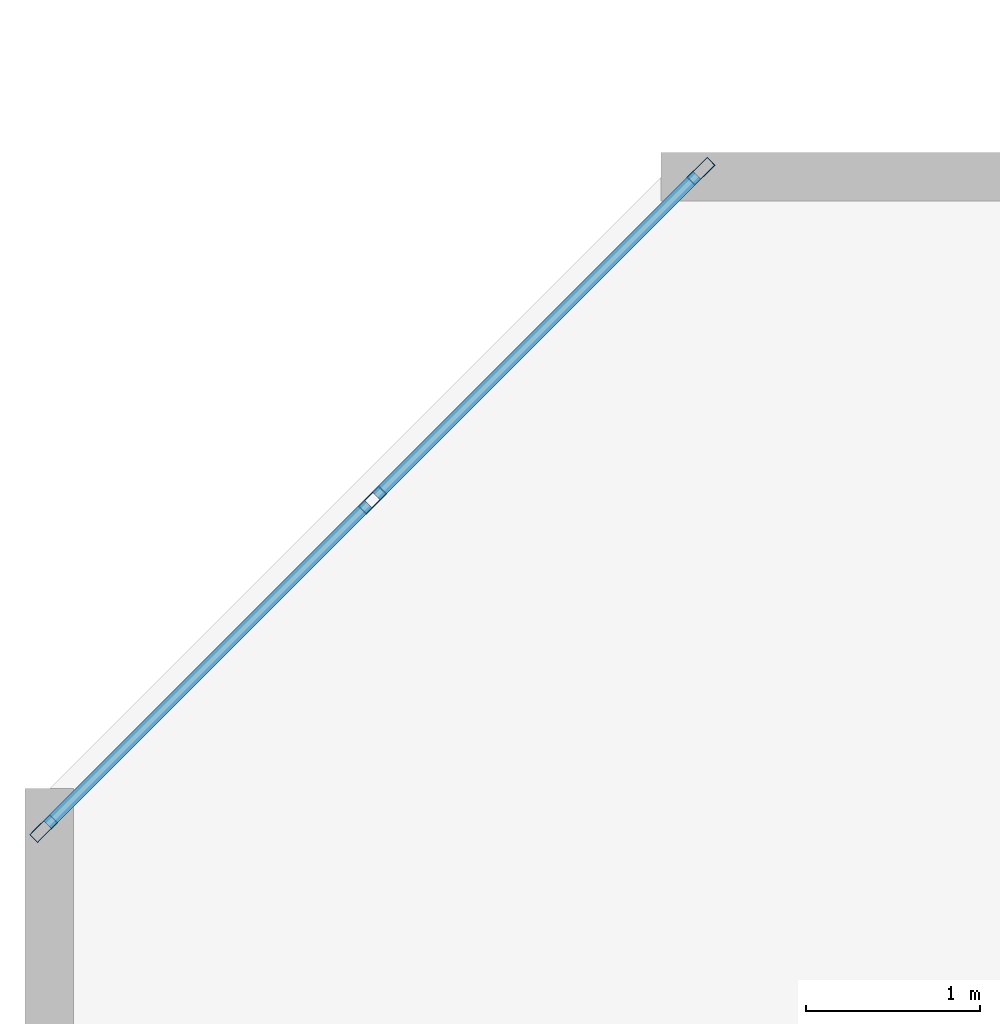
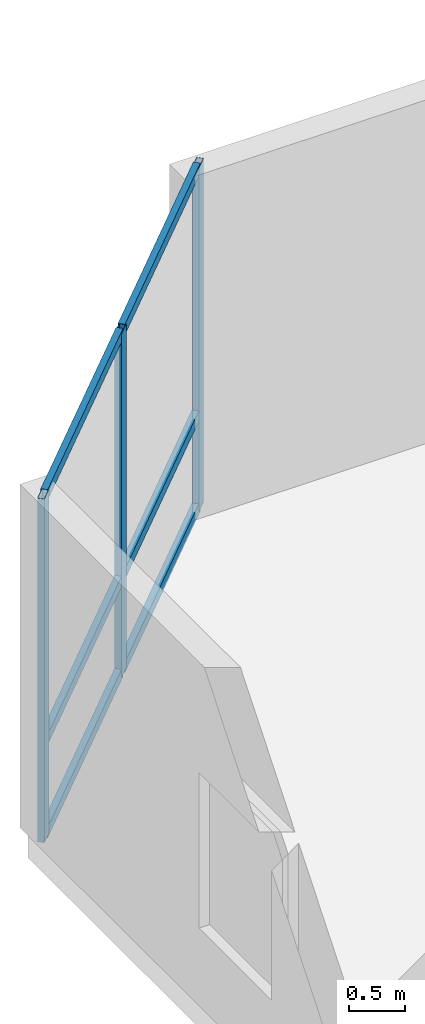
# One storey, part 2 of 11: 9 members, 1 element without a shape of its own.
"""IFC4 building model written with IfcOpenShell, lengths in metres."""

from ifc_helpers import new_model, si_unit, direction, frame, origin, origin_2d, place, context, subcontext, project, spatial, hollow_rectangle, extrude, material, layer, layer_set, material_profile, profile_set, type_object, element, aggregate, save


model = new_model("IFC4")

# Units and contexts
model_context = context("Model", 3, precision=1e-05, world=origin(), true_north=direction((0.0, 1.0)))
body_context = subcontext(model_context, "Body", "Model", "MODEL_VIEW")
ifc_project = project(units=[si_unit("LENGTHUNIT", "METRE"), si_unit("AREAUNIT", "SQUARE_METRE"), si_unit("VOLUMEUNIT", "CUBIC_METRE"), si_unit("PLANEANGLEUNIT", "RADIAN"), si_unit("MASSUNIT", "GRAM", prefix="KILO")], contexts=[model_context])

# Site, building, storey
site_placement = place(None, origin())
site = spatial("IfcSite", under=ifc_project, at=site_placement, CompositionType="ELEMENT")
building_placement = place(site_placement, origin())
building = spatial("IfcBuilding", under=site, at=building_placement, Name="Kestravale Grand Hotel", CompositionType="ELEMENT")
storey_placement = place(building_placement, frame((0.0, 0.0, 265.39990234375)))
storey = spatial("IfcBuildingStorey", under=building, at=storey_placement, Name="L66", CompositionType="ELEMENT", Elevation=265.39990234375)

# Curtain wall, members
ifc_material_1 = material(Name="Thermally broken champagne-bronze aluminium and low-E glazing", Category="aluminium")
ifc_layer = layer(ifc_material_1, 0.179931640625)
ifc_layer_set = layer_set([ifc_layer], Name="CW-Z4")
curtain_wall_type = type_object("IfcCurtainWallType", Name="CW-Z4", PredefinedType="NOTDEFINED", material=ifc_layer_set)
curtain_wall_placement = place(storey_placement, origin())
curtain_wall = element("IfcCurtainWall", 1, at=curtain_wall_placement, inside=storey, type_object=curtain_wall_type, Name="L66 unitised curtain wall 18", PredefinedType="NOTDEFINED")
ifc_material_2 = material(Name="Aluminium 6063-T6 anodised", Category="aluminium")
ifc_material_profile_1 = material_profile(ifc_material_2, hollow_rectangle(XDim=0.06494140625, YDim=0.1650390625, WallThickness=0.00341796875, at=origin_2d()))
ifc_profile_set_1 = profile_set([ifc_material_profile_1], Name="Aluminium 6063-T6 anodised")
member_type_1 = type_object("IfcMemberType", Name="CW-MUL-165", PredefinedType="MULLION", material=ifc_profile_set_1)
member_1_placement = place(storey_placement, frame((11.690185546875, 44.59228515625, 0.0), z_axis=(0.0, 0.0, 1.0), x_axis=(0.707106781187, -0.707106781187, 0.0)))
member_1 = element("IfcMember", 2, at=member_1_placement, type_object=member_type_1, Name="CW-Z4 mullion 1", PredefinedType="MULLION", context=body_context, shape_type="SweptSolid", body=[
    extrude(hollow_rectangle(XDim=0.06494140625, YDim=0.1650390625, WallThickness=0.00341796875, at=origin_2d()), origin(), (0.0, 0.0, 1.0), 3.760009765625),
])
member_2_placement = place(storey_placement, frame((9.799072265625, 42.700927734375, 0.0), z_axis=(0.0, 0.0, 1.0), x_axis=(0.707106781187, -0.707106781187, 0.0)))
member_2 = element("IfcMember", 3, at=member_2_placement, type_object=member_type_1, Name="CW-Z4 mullion 2", PredefinedType="MULLION", context=body_context, shape_type="SweptSolid", body=[
    extrude(hollow_rectangle(XDim=0.06494140625, YDim=0.1650390625, WallThickness=0.00341796875, at=origin_2d()), origin(), (0.0, 0.0, 1.0), 3.760009765625),
])
member_3_placement = place(storey_placement, frame((7.90771484375, 40.809814453125, 0.0), z_axis=(0.0, 0.0, 1.0), x_axis=(0.707106781187, -0.707106781187, 0.0)))
member_3 = element("IfcMember", 4, at=member_3_placement, type_object=member_type_1, Name="CW-Z4 mullion 3", PredefinedType="MULLION", context=body_context, shape_type="SweptSolid", body=[
    extrude(hollow_rectangle(XDim=0.06494140625, YDim=0.1650390625, WallThickness=0.00341796875, at=origin_2d()), origin(), (0.0, 0.0, 1.0), 3.760009765625),
])
ifc_material_3 = material(Name="Aluminium 6063-T6 anodised", Category="aluminium")
ifc_material_profile_2 = material_profile(ifc_material_3, hollow_rectangle(XDim=0.06494140625, YDim=0.114990234375, WallThickness=0.003173828125, at=origin_2d()))
ifc_profile_set_2 = profile_set([ifc_material_profile_2], Name="Aluminium 6063-T6 anodised")
member_type_2 = type_object("IfcMemberType", Name="CW-TRN-115", PredefinedType="USERDEFINED", material=ifc_profile_set_2)
member_4_placement = place(storey_placement, frame((11.667236328125, 44.5693359375, 0.03271484375), z_axis=(-0.707060004037, -0.707153555242, 0.0), x_axis=(0.707153555242, -0.707060004037, 0.0)))
member_4 = element("IfcMember", 5, at=member_4_placement, type_object=member_type_2, Name="CW-Z4 transom 1.1", ObjectType="TRANSOM", PredefinedType="USERDEFINED", context=body_context, shape_type="SweptSolid", body=[
    extrude(hollow_rectangle(XDim=0.06494140625, YDim=0.114990234375, WallThickness=0.003173828125, at=origin_2d()), origin(), (0.0, 0.0, 1.0), 2.609619140625),
])
member_5_placement = place(storey_placement, frame((11.667236328125, 44.5693359375, 1.050048828125), z_axis=(-0.707060004037, -0.707153555242, 0.0), x_axis=(0.707153555242, -0.707060004037, 0.0)))
member_5 = element("IfcMember", 6, at=member_5_placement, type_object=member_type_2, Name="CW-Z4 transom 1.2", ObjectType="TRANSOM", PredefinedType="USERDEFINED", context=body_context, shape_type="SweptSolid", body=[
    extrude(hollow_rectangle(XDim=0.06494140625, YDim=0.114990234375, WallThickness=0.003173828125, at=origin_2d()), origin(), (0.0, 0.0, 1.0), 2.609619140625),
])
member_6_placement = place(storey_placement, frame((11.667236328125, 44.5693359375, 3.7275390625), z_axis=(-0.707060004037, -0.707153555242, 0.0), x_axis=(0.707153555242, -0.707060004037, 0.0)))
member_6 = element("IfcMember", 7, at=member_6_placement, type_object=member_type_2, Name="CW-Z4 transom 1.3", ObjectType="TRANSOM", PredefinedType="USERDEFINED", context=body_context, shape_type="SweptSolid", body=[
    extrude(hollow_rectangle(XDim=0.06494140625, YDim=0.114990234375, WallThickness=0.003173828125, at=origin_2d()), origin(), (0.0, 0.0, 1.0), 2.609619140625),
])
member_7_placement = place(storey_placement, frame((9.776123046875, 42.677978515625, 0.03271484375), z_axis=(-0.707153555242, -0.707060004037, 0.0), x_axis=(0.707060004037, -0.707153555242, 0.0)))
member_7 = element("IfcMember", 8, at=member_7_placement, type_object=member_type_2, Name="CW-Z4 transom 2.1", ObjectType="TRANSOM", PredefinedType="USERDEFINED", context=body_context, shape_type="SweptSolid", body=[
    extrude(hollow_rectangle(XDim=0.06494140625, YDim=0.114990234375, WallThickness=0.003173828125, at=origin_2d()), origin(), (0.0, 0.0, 1.0), 2.609619140625),
])
member_8_placement = place(storey_placement, frame((9.776123046875, 42.677978515625, 1.050048828125), z_axis=(-0.707153555242, -0.707060004037, 0.0), x_axis=(0.707060004037, -0.707153555242, 0.0)))
member_8 = element("IfcMember", 9, at=member_8_placement, type_object=member_type_2, Name="CW-Z4 transom 2.2", ObjectType="TRANSOM", PredefinedType="USERDEFINED", context=body_context, shape_type="SweptSolid", body=[
    extrude(hollow_rectangle(XDim=0.06494140625, YDim=0.114990234375, WallThickness=0.003173828125, at=origin_2d()), origin(), (0.0, 0.0, 1.0), 2.609619140625),
])
member_9_placement = place(storey_placement, frame((9.776123046875, 42.677978515625, 3.7275390625), z_axis=(-0.707153555242, -0.707060004037, 0.0), x_axis=(0.707060004037, -0.707153555242, 0.0)))
member_9 = element("IfcMember", 10, at=member_9_placement, type_object=member_type_2, Name="CW-Z4 transom 2.3", ObjectType="TRANSOM", PredefinedType="USERDEFINED", context=body_context, shape_type="SweptSolid", body=[
    extrude(hollow_rectangle(XDim=0.06494140625, YDim=0.114990234375, WallThickness=0.003173828125, at=origin_2d()), origin(), (0.0, 0.0, 1.0), 2.609619140625),
])
aggregate(curtain_wall, [member_1, member_2, member_3, member_4, member_5, member_6, member_7, member_8, member_9])

save(model, "model.ifc")
